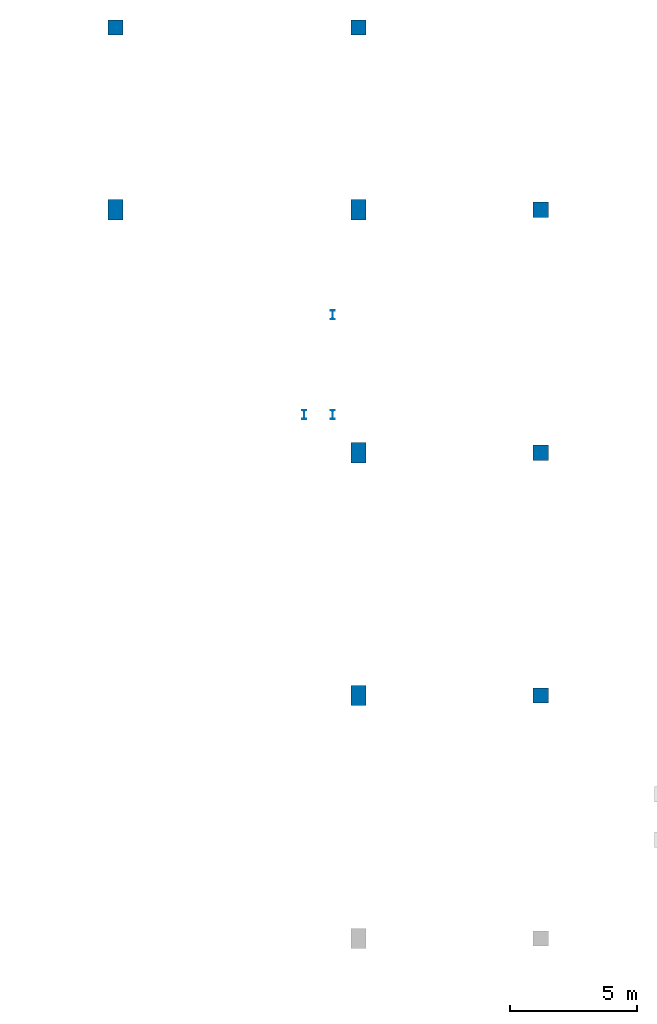
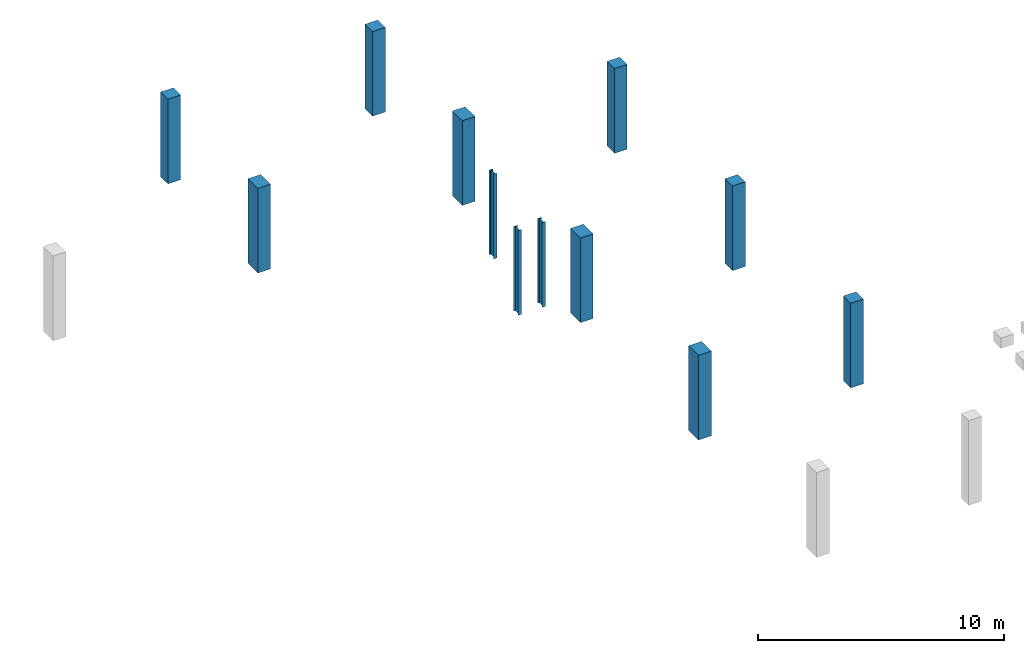
# One storey, part 24 of 47: 12 columns.
"""IFC4 building model written with IfcOpenShell, lengths in metres."""

from ifc_helpers import new_model, si_unit, direction, frame, origin, origin_2d, place, context, subcontext, project, spatial, rectangle, i_section, extrude, material, material_profile, profile_set, type_object, element, save


model = new_model("IFC4")

# Units and contexts
model_context = context("Model", 3, precision=1e-05, world=origin(), true_north=direction((0.0, 1.0)))
body_context = subcontext(model_context, "Body", "Model", "MODEL_VIEW")
ifc_project = project(units=[si_unit("LENGTHUNIT", "METRE"), si_unit("AREAUNIT", "SQUARE_METRE"), si_unit("VOLUMEUNIT", "CUBIC_METRE"), si_unit("PLANEANGLEUNIT", "RADIAN"), si_unit("MASSUNIT", "GRAM", prefix="KILO")], contexts=[model_context])

# Site, building, storey
site_placement = place(None, origin())
site = spatial("IfcSite", under=ifc_project, at=site_placement, CompositionType="ELEMENT")
building_placement = place(site_placement, origin())
building = spatial("IfcBuilding", under=site, at=building_placement, Name="Zevrakil Square Congress Hotel", CompositionType="ELEMENT")
storey_placement = place(building_placement, frame((0.0, 0.0, -4.199951171875)))
storey = spatial("IfcBuildingStorey", under=building, at=storey_placement, Name="B1", CompositionType="ELEMENT", Elevation=-4.199951171875)

# Columns
ifc_material_1 = material(Name="Steel S355", Category="steel")
ifc_material_profile_1 = material_profile(ifc_material_1, i_section(OverallWidth=0.169921875, OverallDepth=0.360107421875, WebThickness=0.008056640625, FlangeThickness=0.0126953125, FilletRadius=0.01806640625, at=origin_2d()), Name="IPE 360")
ifc_profile_set_1 = profile_set([ifc_material_profile_1], Name="Steel S355")
column_type_1 = type_object("IfcColumnType", Name="COL-PILASTER-SHS180", PredefinedType="PILASTER", material=ifc_profile_set_1)
for number, where, z_axis, x_axis, name in (
    (1, (163.449951171875, 104.699951171875, 0.0), (0.0, 0.0, 1.0), (1.0, 0.0, 0.0), "B1 ST10 stair shaft post 1"),
    (2, (164.580078125, 104.699951171875, 0.0), (0.0, 0.0, 1.0), (1.0, 0.0, 0.0), "B1 ST10 stair shaft post 2"),
    (3, (164.580078125, 108.64990234375, 0.0), (0.0, 0.0, 1.0), (1.0, 0.0, 0.0), "B1 ST10 stair shaft post 3"),
):
    element("IfcColumn", number, at=place(storey_placement, frame(where, z_axis=z_axis, x_axis=x_axis)), inside=storey, type_object=column_type_1, Name=name, PredefinedType="PILASTER", context=body_context, shape_type="SweptSolid", body=[
        extrude(i_section(OverallWidth=0.169921875, OverallDepth=0.360107421875, WebThickness=0.008056640625, FlangeThickness=0.0126953125, FilletRadius=0.01806640625, at=origin_2d()), origin(), (0.0, 0.0, 1.0), 4.199951171875),
    ])
ifc_material_2 = material(Name="Concrete C40/50", Category="concrete")
ifc_material_profile_2 = material_profile(ifc_material_2, rectangle(XDim=0.60009765625, YDim=0.60009765625, at=origin_2d()), Name="RC 600x600")
ifc_profile_set_2 = profile_set([ifc_material_profile_2], Name="Concrete C40/50")
column_type_2 = type_object("IfcColumnType", Name="COL-RC600", PredefinedType="COLUMN", material=ifc_profile_set_2)
for number, where, z_axis, x_axis, name in (
    (4, (156.0, 120.0, 0.0), (0.0, 0.0, 1.0), (1.0, 0.0, 0.0), "B1 column C-228"),
    (5, (165.60009765625, 120.0, 0.0), (0.0, 0.0, 1.0), (1.0, 0.0, 0.0), "B1 column C-241"),
    (6, (172.800048828125, 93.60009765625, 0.0), (0.0, 0.0, 1.0), (1.0, 0.0, 0.0), "B1 column C-252"),
    (7, (172.800048828125, 103.199951171875, 0.0), (0.0, 0.0, 1.0), (1.0, 0.0, 0.0), "B1 column C-253"),
    (8, (172.800048828125, 112.800048828125, 0.0), (0.0, 0.0, 1.0), (1.0, 0.0, 0.0), "B1 column C-254"),
):
    element("IfcColumn", number, at=place(storey_placement, frame(where, z_axis=z_axis, x_axis=x_axis)), inside=storey, type_object=column_type_2, Name=name, PredefinedType="COLUMN", context=body_context, shape_type="SweptSolid", body=[
        extrude(rectangle(XDim=0.60009765625, YDim=0.60009765625, at=origin_2d()), origin(), (0.0, 0.0, 1.0), 4.199951171875),
    ])
ifc_material_3 = material(Name="Concrete C40/50", Category="concrete")
ifc_material_profile_3 = material_profile(ifc_material_3, rectangle(XDim=0.60009765625, YDim=0.800048828125, at=origin_2d()), Name="RC 600x800")
ifc_profile_set_3 = profile_set([ifc_material_profile_3], Name="Concrete C40/50")
column_type_3 = type_object("IfcColumnType", Name="COL-RC600x800", PredefinedType="COLUMN", material=ifc_profile_set_3)
for number, where, z_axis, x_axis, name in (
    (9, (156.0, 112.800048828125, 0.0), (0.0, 0.0, 1.0), (1.0, 0.0, 0.0), "B1 column C-227"),
    (10, (165.60009765625, 93.60009765625, 0.0), (0.0, 0.0, 1.0), (1.0, 0.0, 0.0), "B1 column C-238"),
    (11, (165.60009765625, 103.199951171875, 0.0), (0.0, 0.0, 1.0), (1.0, 0.0, 0.0), "B1 column C-239"),
    (12, (165.60009765625, 112.800048828125, 0.0), (0.0, 0.0, 1.0), (1.0, 0.0, 0.0), "B1 column C-240"),
):
    element("IfcColumn", number, at=place(storey_placement, frame(where, z_axis=z_axis, x_axis=x_axis)), inside=storey, type_object=column_type_3, Name=name, PredefinedType="COLUMN", context=body_context, shape_type="SweptSolid", body=[
        extrude(rectangle(XDim=0.60009765625, YDim=0.800048828125, at=origin_2d()), origin(), (0.0, 0.0, 1.0), 4.199951171875),
    ])

save(model, "model.ifc")
